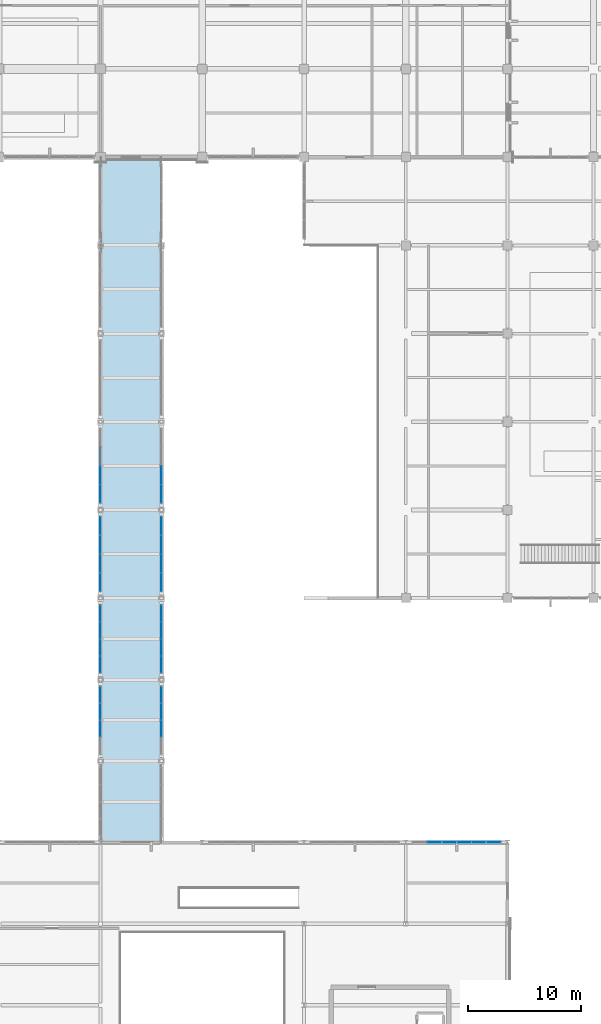
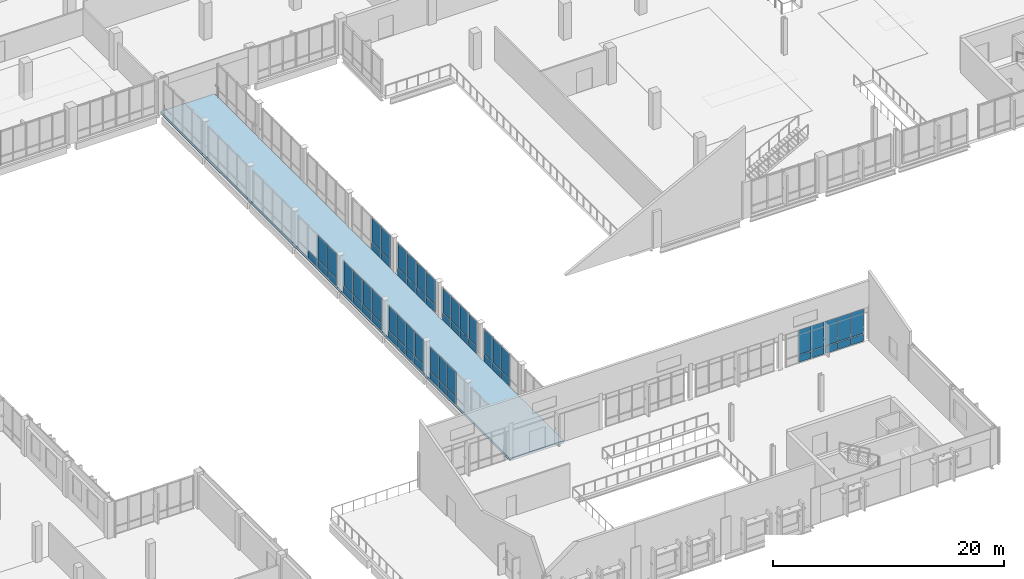
# One storey, part 45 of 85: 63 plates, 1 slab, 10 elements without a shape of their own.
"""IFC4 building model written with IfcOpenShell, lengths in metres."""

from ifc_helpers import new_model, si_unit, direction, frame, origin, origin_2d, place, context, subcontext, project, spatial, polyline, rectangle, outline, extrude, material, layer, layer_set, type_object, element, aggregate, save


model = new_model("IFC4")

# Units and contexts
model_context = context("Model", 3, precision=1e-05, world=origin(), true_north=direction((0.0, 1.0)))
body_context = subcontext(model_context, "Body", "Model", "MODEL_VIEW")
ifc_project = project(units=[si_unit("LENGTHUNIT", "METRE"), si_unit("AREAUNIT", "SQUARE_METRE"), si_unit("VOLUMEUNIT", "CUBIC_METRE"), si_unit("PLANEANGLEUNIT", "RADIAN"), si_unit("MASSUNIT", "GRAM", prefix="KILO")], contexts=[model_context])

# Site, building, storey
site_placement = place(None, origin())
site = spatial("IfcSite", under=ifc_project, at=site_placement, CompositionType="ELEMENT")
building_placement = place(site_placement, origin())
building = spatial("IfcBuilding", under=site, at=building_placement, Name="Vervanel Yard Central Library", CompositionType="ELEMENT")
storey_placement = place(building_placement, frame((0.0, 0.0, 5.10009765625)))
storey = spatial("IfcBuildingStorey", under=building, at=storey_placement, Name="L01", CompositionType="ELEMENT", Elevation=5.10009765625)

# Curtain wall, plates
ifc_material_1 = material(Name="Thermally broken anodized aluminium 6063-T6", Category="aluminium")
curtain_wall_type_1 = type_object("IfcCurtainWallType", Name="Boulevard Cafe & Bridge Curtain Wall", PredefinedType="NOTDEFINED", material=ifc_material_1)
curtain_wall_1_placement = place(storey_placement, origin())
curtain_wall_1 = element("IfcCurtainWall", 1, at=curtain_wall_1_placement, inside=storey, type_object=curtain_wall_type_1, Name="L01 Boulevard Cafe & Bridge Curtain Wall CWR-L01-177", PredefinedType="NOTDEFINED")
ifc_material_2 = material(Name="Insulated bronze aluminium spandrel panel", Category="aluminium")
ifc_layer_1 = layer(ifc_material_2, 0.070068359375, Category="aluminium")
ifc_layer_set_1 = layer_set([ifc_layer_1], Name="Insulated bronze aluminium spandrel panel")
plate_type_1 = type_object("IfcPlateType", Name="Bridge Fascia Spandrel Panel 70", PredefinedType="CURTAIN_PANEL", material=ifc_layer_set_1)
plate_1_placement = place(storey_placement, frame((72.0, 31.6474609375, 0.06005859375), z_axis=(0.0, 0.0, 1.0), x_axis=(0.0, 1.0, 0.0)))
plate_1 = element("IfcPlate", 2, at=plate_1_placement, type_object=plate_type_1, Name="CWR-L01-177 Panel B2-1", PredefinedType="CURTAIN_PANEL", context=body_context, shape_type="SweptSolid", body=[
    extrude(rectangle(XDim=1.445068359375, YDim=0.070068359375, at=origin_2d()), origin(), (0.0, 0.0, 1.0), 0.760009765625),
])
plate_2_placement = place(storey_placement, frame((72.0, 33.152587890625, 0.06005859375), z_axis=(0.0, 0.0, 1.0), x_axis=(0.0, 1.0, 0.0)))
plate_2 = element("IfcPlate", 3, at=plate_2_placement, type_object=plate_type_1, Name="CWR-L01-177 Panel B3-1", PredefinedType="CURTAIN_PANEL", context=body_context, shape_type="SweptSolid", body=[
    extrude(rectangle(XDim=1.445068359375, YDim=0.070068359375, at=origin_2d()), origin(), (0.0, 0.0, 1.0), 0.760009765625),
])
plate_3_placement = place(storey_placement, frame((72.0, 34.657470703125, 0.06005859375), z_axis=(0.0, 0.0, 1.0), x_axis=(0.0, 1.0, 0.0)))
plate_3 = element("IfcPlate", 4, at=plate_3_placement, type_object=plate_type_1, Name="CWR-L01-177 Panel B4-1", PredefinedType="CURTAIN_PANEL", context=body_context, shape_type="SweptSolid", body=[
    extrude(rectangle(XDim=1.445068359375, YDim=0.070068359375, at=origin_2d()), origin(), (0.0, 0.0, 1.0), 0.760009765625),
])

curtain_wall_2_placement = place(storey_placement, origin())
curtain_wall_2 = element("IfcCurtainWall", 5, at=curtain_wall_2_placement, inside=storey, type_object=curtain_wall_type_1, Name="L01 Boulevard Cafe & Bridge Curtain Wall CWR-L01-178", PredefinedType="NOTDEFINED")
plate_4_placement = place(storey_placement, frame((72.0, 37.342529296875, 0.06005859375), z_axis=(0.0, 0.0, 1.0), x_axis=(0.0, 1.0, 0.0)))
plate_4 = element("IfcPlate", 6, at=plate_4_placement, type_object=plate_type_1, Name="CWR-L01-178 Panel B1-1", PredefinedType="CURTAIN_PANEL", context=body_context, shape_type="SweptSolid", body=[
    extrude(rectangle(XDim=1.445068359375, YDim=0.070068359375, at=origin_2d()), origin(), (0.0, 0.0, 1.0), 0.760009765625),
])
plate_5_placement = place(storey_placement, frame((72.0, 38.847412109375, 0.06005859375), z_axis=(0.0, 0.0, 1.0), x_axis=(0.0, 1.0, 0.0)))
plate_5 = element("IfcPlate", 7, at=plate_5_placement, type_object=plate_type_1, Name="CWR-L01-178 Panel B2-1", PredefinedType="CURTAIN_PANEL", context=body_context, shape_type="SweptSolid", body=[
    extrude(rectangle(XDim=1.445068359375, YDim=0.070068359375, at=origin_2d()), origin(), (0.0, 0.0, 1.0), 0.760009765625),
])
plate_6_placement = place(storey_placement, frame((72.0, 40.3525390625, 0.06005859375), z_axis=(0.0, 0.0, 1.0), x_axis=(0.0, 1.0, 0.0)))
plate_6 = element("IfcPlate", 8, at=plate_6_placement, type_object=plate_type_1, Name="CWR-L01-178 Panel B3-1", PredefinedType="CURTAIN_PANEL", context=body_context, shape_type="SweptSolid", body=[
    extrude(rectangle(XDim=1.445068359375, YDim=0.070068359375, at=origin_2d()), origin(), (0.0, 0.0, 1.0), 0.760009765625),
])
plate_7_placement = place(storey_placement, frame((72.0, 41.857421875, 0.06005859375), z_axis=(0.0, 0.0, 1.0), x_axis=(0.0, 1.0, 0.0)))
plate_7 = element("IfcPlate", 9, at=plate_7_placement, type_object=plate_type_1, Name="CWR-L01-178 Panel B4-1", PredefinedType="CURTAIN_PANEL", context=body_context, shape_type="SweptSolid", body=[
    extrude(rectangle(XDim=1.445068359375, YDim=0.070068359375, at=origin_2d()), origin(), (0.0, 0.0, 1.0), 0.760009765625),
])

curtain_wall_3_placement = place(storey_placement, origin())
curtain_wall_3 = element("IfcCurtainWall", 10, at=curtain_wall_3_placement, inside=storey, type_object=curtain_wall_type_1, Name="L01 Boulevard Cafe & Bridge Curtain Wall CWR-L01-179", PredefinedType="NOTDEFINED")
plate_8_placement = place(storey_placement, frame((72.0, 44.617431640625, 0.06005859375), z_axis=(0.0, 0.0, 1.0), x_axis=(0.0, 1.0, 0.0)))
plate_8 = element("IfcPlate", 11, at=plate_8_placement, type_object=plate_type_1, Name="CWR-L01-179 Panel B1-1", PredefinedType="CURTAIN_PANEL", context=body_context, shape_type="SweptSolid", body=[
    extrude(rectangle(XDim=1.594970703125, YDim=0.070068359375, at=origin_2d()), origin(), (0.0, 0.0, 1.0), 0.760009765625),
])
plate_9_placement = place(storey_placement, frame((72.0, 46.2724609375, 0.06005859375), z_axis=(0.0, 0.0, 1.0), x_axis=(0.0, 1.0, 0.0)))
plate_9 = element("IfcPlate", 12, at=plate_9_placement, type_object=plate_type_1, Name="CWR-L01-179 Panel B2-1", PredefinedType="CURTAIN_PANEL", context=body_context, shape_type="SweptSolid", body=[
    extrude(rectangle(XDim=1.594970703125, YDim=0.070068359375, at=origin_2d()), origin(), (0.0, 0.0, 1.0), 0.760009765625),
])
plate_10_placement = place(storey_placement, frame((72.0, 47.927490234375, 0.06005859375), z_axis=(0.0, 0.0, 1.0), x_axis=(0.0, 1.0, 0.0)))
plate_10 = element("IfcPlate", 13, at=plate_10_placement, type_object=plate_type_1, Name="CWR-L01-179 Panel B3-1", PredefinedType="CURTAIN_PANEL", context=body_context, shape_type="SweptSolid", body=[
    extrude(rectangle(XDim=1.594970703125, YDim=0.070068359375, at=origin_2d()), origin(), (0.0, 0.0, 1.0), 0.760009765625),
])
plate_11_placement = place(storey_placement, frame((72.0, 49.58251953125, 0.06005859375), z_axis=(0.0, 0.0, 1.0), x_axis=(0.0, 1.0, 0.0)))
plate_11 = element("IfcPlate", 14, at=plate_11_placement, type_object=plate_type_1, Name="CWR-L01-179 Panel B4-1", PredefinedType="CURTAIN_PANEL", context=body_context, shape_type="SweptSolid", body=[
    extrude(rectangle(XDim=1.594970703125, YDim=0.070068359375, at=origin_2d()), origin(), (0.0, 0.0, 1.0), 0.760009765625),
])

curtain_wall_4_placement = place(storey_placement, origin())
curtain_wall_4 = element("IfcCurtainWall", 15, at=curtain_wall_4_placement, inside=storey, type_object=curtain_wall_type_1, Name="L01 Boulevard Cafe & Bridge Curtain Wall CWR-L01-180", PredefinedType="NOTDEFINED")
plate_12_placement = place(storey_placement, frame((72.0, 52.41748046875, 0.06005859375), z_axis=(0.0, 0.0, 1.0), x_axis=(0.0, 1.0, 0.0)))
plate_12 = element("IfcPlate", 16, at=plate_12_placement, type_object=plate_type_1, Name="CWR-L01-180 Panel B1-1", PredefinedType="CURTAIN_PANEL", context=body_context, shape_type="SweptSolid", body=[
    extrude(rectangle(XDim=1.594970703125, YDim=0.070068359375, at=origin_2d()), origin(), (0.0, 0.0, 1.0), 0.760009765625),
])
plate_13_placement = place(storey_placement, frame((72.0, 54.072509765625, 0.06005859375), z_axis=(0.0, 0.0, 1.0), x_axis=(0.0, 1.0, 0.0)))
plate_13 = element("IfcPlate", 17, at=plate_13_placement, type_object=plate_type_1, Name="CWR-L01-180 Panel B2-1", PredefinedType="CURTAIN_PANEL", context=body_context, shape_type="SweptSolid", body=[
    extrude(rectangle(XDim=1.594970703125, YDim=0.070068359375, at=origin_2d()), origin(), (0.0, 0.0, 1.0), 0.760009765625),
])
plate_14_placement = place(storey_placement, frame((72.0, 55.7275390625, 0.06005859375), z_axis=(0.0, 0.0, 1.0), x_axis=(0.0, 1.0, 0.0)))
plate_14 = element("IfcPlate", 18, at=plate_14_placement, type_object=plate_type_1, Name="CWR-L01-180 Panel B3-1", PredefinedType="CURTAIN_PANEL", context=body_context, shape_type="SweptSolid", body=[
    extrude(rectangle(XDim=1.594970703125, YDim=0.070068359375, at=origin_2d()), origin(), (0.0, 0.0, 1.0), 0.760009765625),
])

curtain_wall_5_placement = place(storey_placement, origin())
curtain_wall_5 = element("IfcCurtainWall", 19, at=curtain_wall_5_placement, inside=storey, type_object=curtain_wall_type_1, Name="L01 Boulevard Cafe & Bridge Curtain Wall CWR-L01-185", PredefinedType="NOTDEFINED")
plate_15_placement = place(storey_placement, frame((77.39990234375, 31.6474609375, 0.06005859375), z_axis=(0.0, 0.0, 1.0), x_axis=(0.0, 1.0, 0.0)))
plate_15 = element("IfcPlate", 20, at=plate_15_placement, type_object=plate_type_1, Name="CWR-L01-185 Panel B2-1", PredefinedType="CURTAIN_PANEL", context=body_context, shape_type="SweptSolid", body=[
    extrude(rectangle(XDim=1.445068359375, YDim=0.070068359375, at=origin_2d()), origin(), (0.0, 0.0, 1.0), 0.760009765625),
])
plate_16_placement = place(storey_placement, frame((77.39990234375, 33.152587890625, 0.06005859375), z_axis=(0.0, 0.0, 1.0), x_axis=(0.0, 1.0, 0.0)))
plate_16 = element("IfcPlate", 21, at=plate_16_placement, type_object=plate_type_1, Name="CWR-L01-185 Panel B3-1", PredefinedType="CURTAIN_PANEL", context=body_context, shape_type="SweptSolid", body=[
    extrude(rectangle(XDim=1.445068359375, YDim=0.070068359375, at=origin_2d()), origin(), (0.0, 0.0, 1.0), 0.760009765625),
])
plate_17_placement = place(storey_placement, frame((77.39990234375, 34.657470703125, 0.06005859375), z_axis=(0.0, 0.0, 1.0), x_axis=(0.0, 1.0, 0.0)))
plate_17 = element("IfcPlate", 22, at=plate_17_placement, type_object=plate_type_1, Name="CWR-L01-185 Panel B4-1", PredefinedType="CURTAIN_PANEL", context=body_context, shape_type="SweptSolid", body=[
    extrude(rectangle(XDim=1.445068359375, YDim=0.070068359375, at=origin_2d()), origin(), (0.0, 0.0, 1.0), 0.760009765625),
])

curtain_wall_6_placement = place(storey_placement, origin())
curtain_wall_6 = element("IfcCurtainWall", 23, at=curtain_wall_6_placement, inside=storey, type_object=curtain_wall_type_1, Name="L01 Boulevard Cafe & Bridge Curtain Wall CWR-L01-186", PredefinedType="NOTDEFINED")
plate_18_placement = place(storey_placement, frame((77.39990234375, 37.342529296875, 0.06005859375), z_axis=(0.0, 0.0, 1.0), x_axis=(0.0, 1.0, 0.0)))
plate_18 = element("IfcPlate", 24, at=plate_18_placement, type_object=plate_type_1, Name="CWR-L01-186 Panel B1-1", PredefinedType="CURTAIN_PANEL", context=body_context, shape_type="SweptSolid", body=[
    extrude(rectangle(XDim=1.445068359375, YDim=0.070068359375, at=origin_2d()), origin(), (0.0, 0.0, 1.0), 0.760009765625),
])
plate_19_placement = place(storey_placement, frame((77.39990234375, 38.847412109375, 0.06005859375), z_axis=(0.0, 0.0, 1.0), x_axis=(0.0, 1.0, 0.0)))
plate_19 = element("IfcPlate", 25, at=plate_19_placement, type_object=plate_type_1, Name="CWR-L01-186 Panel B2-1", PredefinedType="CURTAIN_PANEL", context=body_context, shape_type="SweptSolid", body=[
    extrude(rectangle(XDim=1.445068359375, YDim=0.070068359375, at=origin_2d()), origin(), (0.0, 0.0, 1.0), 0.760009765625),
])
plate_20_placement = place(storey_placement, frame((77.39990234375, 40.3525390625, 0.06005859375), z_axis=(0.0, 0.0, 1.0), x_axis=(0.0, 1.0, 0.0)))
plate_20 = element("IfcPlate", 26, at=plate_20_placement, type_object=plate_type_1, Name="CWR-L01-186 Panel B3-1", PredefinedType="CURTAIN_PANEL", context=body_context, shape_type="SweptSolid", body=[
    extrude(rectangle(XDim=1.445068359375, YDim=0.070068359375, at=origin_2d()), origin(), (0.0, 0.0, 1.0), 0.760009765625),
])
plate_21_placement = place(storey_placement, frame((77.39990234375, 41.857421875, 0.06005859375), z_axis=(0.0, 0.0, 1.0), x_axis=(0.0, 1.0, 0.0)))
plate_21 = element("IfcPlate", 27, at=plate_21_placement, type_object=plate_type_1, Name="CWR-L01-186 Panel B4-1", PredefinedType="CURTAIN_PANEL", context=body_context, shape_type="SweptSolid", body=[
    extrude(rectangle(XDim=1.445068359375, YDim=0.070068359375, at=origin_2d()), origin(), (0.0, 0.0, 1.0), 0.760009765625),
])

curtain_wall_7_placement = place(storey_placement, origin())
curtain_wall_7 = element("IfcCurtainWall", 28, at=curtain_wall_7_placement, inside=storey, type_object=curtain_wall_type_1, Name="L01 Boulevard Cafe & Bridge Curtain Wall CWR-L01-187", PredefinedType="NOTDEFINED")
plate_22_placement = place(storey_placement, frame((77.39990234375, 44.617431640625, 0.06005859375), z_axis=(0.0, 0.0, 1.0), x_axis=(0.0, 1.0, 0.0)))
plate_22 = element("IfcPlate", 29, at=plate_22_placement, type_object=plate_type_1, Name="CWR-L01-187 Panel B1-1", PredefinedType="CURTAIN_PANEL", context=body_context, shape_type="SweptSolid", body=[
    extrude(rectangle(XDim=1.594970703125, YDim=0.070068359375, at=origin_2d()), origin(), (0.0, 0.0, 1.0), 0.760009765625),
])
plate_23_placement = place(storey_placement, frame((77.39990234375, 46.2724609375, 0.06005859375), z_axis=(0.0, 0.0, 1.0), x_axis=(0.0, 1.0, 0.0)))
plate_23 = element("IfcPlate", 30, at=plate_23_placement, type_object=plate_type_1, Name="CWR-L01-187 Panel B2-1", PredefinedType="CURTAIN_PANEL", context=body_context, shape_type="SweptSolid", body=[
    extrude(rectangle(XDim=1.594970703125, YDim=0.070068359375, at=origin_2d()), origin(), (0.0, 0.0, 1.0), 0.760009765625),
])
plate_24_placement = place(storey_placement, frame((77.39990234375, 47.927490234375, 0.06005859375), z_axis=(0.0, 0.0, 1.0), x_axis=(0.0, 1.0, 0.0)))
plate_24 = element("IfcPlate", 31, at=plate_24_placement, type_object=plate_type_1, Name="CWR-L01-187 Panel B3-1", PredefinedType="CURTAIN_PANEL", context=body_context, shape_type="SweptSolid", body=[
    extrude(rectangle(XDim=1.594970703125, YDim=0.070068359375, at=origin_2d()), origin(), (0.0, 0.0, 1.0), 0.760009765625),
])
plate_25_placement = place(storey_placement, frame((77.39990234375, 49.58251953125, 0.06005859375), z_axis=(0.0, 0.0, 1.0), x_axis=(0.0, 1.0, 0.0)))
plate_25 = element("IfcPlate", 32, at=plate_25_placement, type_object=plate_type_1, Name="CWR-L01-187 Panel B4-1", PredefinedType="CURTAIN_PANEL", context=body_context, shape_type="SweptSolid", body=[
    extrude(rectangle(XDim=1.594970703125, YDim=0.070068359375, at=origin_2d()), origin(), (0.0, 0.0, 1.0), 0.760009765625),
])

curtain_wall_8_placement = place(storey_placement, origin())
curtain_wall_8 = element("IfcCurtainWall", 33, at=curtain_wall_8_placement, inside=storey, type_object=curtain_wall_type_1, Name="L01 Boulevard Cafe & Bridge Curtain Wall CWR-L01-188", PredefinedType="NOTDEFINED")
plate_26_placement = place(storey_placement, frame((77.39990234375, 52.41748046875, 0.06005859375), z_axis=(0.0, 0.0, 1.0), x_axis=(0.0, 1.0, 0.0)))
plate_26 = element("IfcPlate", 34, at=plate_26_placement, type_object=plate_type_1, Name="CWR-L01-188 Panel B1-1", PredefinedType="CURTAIN_PANEL", context=body_context, shape_type="SweptSolid", body=[
    extrude(rectangle(XDim=1.594970703125, YDim=0.070068359375, at=origin_2d()), origin(), (0.0, 0.0, 1.0), 0.760009765625),
])
plate_27_placement = place(storey_placement, frame((77.39990234375, 54.072509765625, 0.06005859375), z_axis=(0.0, 0.0, 1.0), x_axis=(0.0, 1.0, 0.0)))
plate_27 = element("IfcPlate", 35, at=plate_27_placement, type_object=plate_type_1, Name="CWR-L01-188 Panel B2-1", PredefinedType="CURTAIN_PANEL", context=body_context, shape_type="SweptSolid", body=[
    extrude(rectangle(XDim=1.594970703125, YDim=0.070068359375, at=origin_2d()), origin(), (0.0, 0.0, 1.0), 0.760009765625),
])

# Plate
ifc_material_3 = material(Name="Double low-E laminated solar-control glass", Category="glass")
ifc_layer_2 = layer(ifc_material_3, 0.028076171875, Category="glass")
ifc_layer_set_2 = layer_set([ifc_layer_2], Name="Double low-E laminated solar-control glass")
plate_type_2 = type_object("IfcPlateType", Name="Bridge UV-Filtered Vision Panel 28", PredefinedType="CURTAIN_PANEL", material=ifc_layer_set_2)
plate_28_placement = place(storey_placement, frame((72.0, 31.6474609375, 0.8798828125), z_axis=(0.0, 0.0, 1.0), x_axis=(0.0, 1.0, 0.0)))
plate_28 = element("IfcPlate", 36, at=plate_28_placement, type_object=plate_type_2, Name="CWR-L01-177 Panel B2-2", PredefinedType="CURTAIN_PANEL", context=body_context, shape_type="SweptSolid", body=[
    extrude(rectangle(XDim=1.445068359375, YDim=0.028076171875, at=origin_2d()), origin(), (0.0, 0.0, 1.0), 2.590087890625),
])

plate_29_placement = place(storey_placement, frame((72.0, 33.152587890625, 0.8798828125), z_axis=(0.0, 0.0, 1.0), x_axis=(0.0, 1.0, 0.0)))
plate_29 = element("IfcPlate", 37, at=plate_29_placement, type_object=plate_type_2, Name="CWR-L01-177 Panel B3-2", PredefinedType="CURTAIN_PANEL", context=body_context, shape_type="SweptSolid", body=[
    extrude(rectangle(XDim=1.445068359375, YDim=0.028076171875, at=origin_2d()), origin(), (0.0, 0.0, 1.0), 2.590087890625),
])

plate_30_placement = place(storey_placement, frame((72.0, 34.657470703125, 0.8798828125), z_axis=(0.0, 0.0, 1.0), x_axis=(0.0, 1.0, 0.0)))
plate_30 = element("IfcPlate", 38, at=plate_30_placement, type_object=plate_type_2, Name="CWR-L01-177 Panel B4-2", PredefinedType="CURTAIN_PANEL", context=body_context, shape_type="SweptSolid", body=[
    extrude(rectangle(XDim=1.445068359375, YDim=0.028076171875, at=origin_2d()), origin(), (0.0, 0.0, 1.0), 2.590087890625),
])

aggregate(curtain_wall_1, [plate_1, plate_28, plate_2, plate_29, plate_3, plate_30])

plate_31_placement = place(storey_placement, frame((72.0, 37.342529296875, 0.8798828125), z_axis=(0.0, 0.0, 1.0), x_axis=(0.0, 1.0, 0.0)))
plate_31 = element("IfcPlate", 39, at=plate_31_placement, type_object=plate_type_2, Name="CWR-L01-178 Panel B1-2", PredefinedType="CURTAIN_PANEL", context=body_context, shape_type="SweptSolid", body=[
    extrude(rectangle(XDim=1.445068359375, YDim=0.028076171875, at=origin_2d()), origin(), (0.0, 0.0, 1.0), 2.590087890625),
])

plate_32_placement = place(storey_placement, frame((72.0, 38.847412109375, 0.8798828125), z_axis=(0.0, 0.0, 1.0), x_axis=(0.0, 1.0, 0.0)))
plate_32 = element("IfcPlate", 40, at=plate_32_placement, type_object=plate_type_2, Name="CWR-L01-178 Panel B2-2", PredefinedType="CURTAIN_PANEL", context=body_context, shape_type="SweptSolid", body=[
    extrude(rectangle(XDim=1.445068359375, YDim=0.028076171875, at=origin_2d()), origin(), (0.0, 0.0, 1.0), 2.590087890625),
])

plate_33_placement = place(storey_placement, frame((72.0, 40.3525390625, 0.8798828125), z_axis=(0.0, 0.0, 1.0), x_axis=(0.0, 1.0, 0.0)))
plate_33 = element("IfcPlate", 41, at=plate_33_placement, type_object=plate_type_2, Name="CWR-L01-178 Panel B3-2", PredefinedType="CURTAIN_PANEL", context=body_context, shape_type="SweptSolid", body=[
    extrude(rectangle(XDim=1.445068359375, YDim=0.028076171875, at=origin_2d()), origin(), (0.0, 0.0, 1.0), 2.590087890625),
])

plate_34_placement = place(storey_placement, frame((72.0, 41.857421875, 0.8798828125), z_axis=(0.0, 0.0, 1.0), x_axis=(0.0, 1.0, 0.0)))
plate_34 = element("IfcPlate", 42, at=plate_34_placement, type_object=plate_type_2, Name="CWR-L01-178 Panel B4-2", PredefinedType="CURTAIN_PANEL", context=body_context, shape_type="SweptSolid", body=[
    extrude(rectangle(XDim=1.445068359375, YDim=0.028076171875, at=origin_2d()), origin(), (0.0, 0.0, 1.0), 2.590087890625),
])

aggregate(curtain_wall_2, [plate_4, plate_31, plate_5, plate_32, plate_6, plate_33, plate_7, plate_34])

plate_35_placement = place(storey_placement, frame((72.0, 44.617431640625, 0.8798828125), z_axis=(0.0, 0.0, 1.0), x_axis=(0.0, 1.0, 0.0)))
plate_35 = element("IfcPlate", 43, at=plate_35_placement, type_object=plate_type_2, Name="CWR-L01-179 Panel B1-2", PredefinedType="CURTAIN_PANEL", context=body_context, shape_type="SweptSolid", body=[
    extrude(rectangle(XDim=1.594970703125, YDim=0.028076171875, at=origin_2d()), origin(), (0.0, 0.0, 1.0), 2.590087890625),
])

plate_36_placement = place(storey_placement, frame((72.0, 46.2724609375, 0.8798828125), z_axis=(0.0, 0.0, 1.0), x_axis=(0.0, 1.0, 0.0)))
plate_36 = element("IfcPlate", 44, at=plate_36_placement, type_object=plate_type_2, Name="CWR-L01-179 Panel B2-2", PredefinedType="CURTAIN_PANEL", context=body_context, shape_type="SweptSolid", body=[
    extrude(rectangle(XDim=1.594970703125, YDim=0.028076171875, at=origin_2d()), origin(), (0.0, 0.0, 1.0), 2.590087890625),
])

plate_37_placement = place(storey_placement, frame((72.0, 47.927490234375, 0.8798828125), z_axis=(0.0, 0.0, 1.0), x_axis=(0.0, 1.0, 0.0)))
plate_37 = element("IfcPlate", 45, at=plate_37_placement, type_object=plate_type_2, Name="CWR-L01-179 Panel B3-2", PredefinedType="CURTAIN_PANEL", context=body_context, shape_type="SweptSolid", body=[
    extrude(rectangle(XDim=1.594970703125, YDim=0.028076171875, at=origin_2d()), origin(), (0.0, 0.0, 1.0), 2.590087890625),
])

plate_38_placement = place(storey_placement, frame((72.0, 49.58251953125, 0.8798828125), z_axis=(0.0, 0.0, 1.0), x_axis=(0.0, 1.0, 0.0)))
plate_38 = element("IfcPlate", 46, at=plate_38_placement, type_object=plate_type_2, Name="CWR-L01-179 Panel B4-2", PredefinedType="CURTAIN_PANEL", context=body_context, shape_type="SweptSolid", body=[
    extrude(rectangle(XDim=1.594970703125, YDim=0.028076171875, at=origin_2d()), origin(), (0.0, 0.0, 1.0), 2.590087890625),
])

aggregate(curtain_wall_3, [plate_8, plate_35, plate_9, plate_36, plate_10, plate_37, plate_11, plate_38])

plate_39_placement = place(storey_placement, frame((72.0, 52.41748046875, 0.8798828125), z_axis=(0.0, 0.0, 1.0), x_axis=(0.0, 1.0, 0.0)))
plate_39 = element("IfcPlate", 47, at=plate_39_placement, type_object=plate_type_2, Name="CWR-L01-180 Panel B1-2", PredefinedType="CURTAIN_PANEL", context=body_context, shape_type="SweptSolid", body=[
    extrude(rectangle(XDim=1.594970703125, YDim=0.028076171875, at=origin_2d()), origin(), (0.0, 0.0, 1.0), 2.590087890625),
])

plate_40_placement = place(storey_placement, frame((72.0, 54.072509765625, 0.8798828125), z_axis=(0.0, 0.0, 1.0), x_axis=(0.0, 1.0, 0.0)))
plate_40 = element("IfcPlate", 48, at=plate_40_placement, type_object=plate_type_2, Name="CWR-L01-180 Panel B2-2", PredefinedType="CURTAIN_PANEL", context=body_context, shape_type="SweptSolid", body=[
    extrude(rectangle(XDim=1.594970703125, YDim=0.028076171875, at=origin_2d()), origin(), (0.0, 0.0, 1.0), 2.590087890625),
])

aggregate(curtain_wall_4, [plate_12, plate_39, plate_13, plate_40, plate_14])

plate_41_placement = place(storey_placement, frame((77.39990234375, 31.6474609375, 0.8798828125), z_axis=(0.0, 0.0, 1.0), x_axis=(0.0, 1.0, 0.0)))
plate_41 = element("IfcPlate", 49, at=plate_41_placement, type_object=plate_type_2, Name="CWR-L01-185 Panel B2-2", PredefinedType="CURTAIN_PANEL", context=body_context, shape_type="SweptSolid", body=[
    extrude(rectangle(XDim=1.445068359375, YDim=0.028076171875, at=origin_2d()), origin(), (0.0, 0.0, 1.0), 2.590087890625),
])

plate_42_placement = place(storey_placement, frame((77.39990234375, 33.152587890625, 0.8798828125), z_axis=(0.0, 0.0, 1.0), x_axis=(0.0, 1.0, 0.0)))
plate_42 = element("IfcPlate", 50, at=plate_42_placement, type_object=plate_type_2, Name="CWR-L01-185 Panel B3-2", PredefinedType="CURTAIN_PANEL", context=body_context, shape_type="SweptSolid", body=[
    extrude(rectangle(XDim=1.445068359375, YDim=0.028076171875, at=origin_2d()), origin(), (0.0, 0.0, 1.0), 2.590087890625),
])

plate_43_placement = place(storey_placement, frame((77.39990234375, 34.657470703125, 0.8798828125), z_axis=(0.0, 0.0, 1.0), x_axis=(0.0, 1.0, 0.0)))
plate_43 = element("IfcPlate", 51, at=plate_43_placement, type_object=plate_type_2, Name="CWR-L01-185 Panel B4-2", PredefinedType="CURTAIN_PANEL", context=body_context, shape_type="SweptSolid", body=[
    extrude(rectangle(XDim=1.445068359375, YDim=0.028076171875, at=origin_2d()), origin(), (0.0, 0.0, 1.0), 2.590087890625),
])

aggregate(curtain_wall_5, [plate_15, plate_41, plate_16, plate_42, plate_17, plate_43])

plate_44_placement = place(storey_placement, frame((77.39990234375, 37.342529296875, 0.8798828125), z_axis=(0.0, 0.0, 1.0), x_axis=(0.0, 1.0, 0.0)))
plate_44 = element("IfcPlate", 52, at=plate_44_placement, type_object=plate_type_2, Name="CWR-L01-186 Panel B1-2", PredefinedType="CURTAIN_PANEL", context=body_context, shape_type="SweptSolid", body=[
    extrude(rectangle(XDim=1.445068359375, YDim=0.028076171875, at=origin_2d()), origin(), (0.0, 0.0, 1.0), 2.590087890625),
])

plate_45_placement = place(storey_placement, frame((77.39990234375, 38.847412109375, 0.8798828125), z_axis=(0.0, 0.0, 1.0), x_axis=(0.0, 1.0, 0.0)))
plate_45 = element("IfcPlate", 53, at=plate_45_placement, type_object=plate_type_2, Name="CWR-L01-186 Panel B2-2", PredefinedType="CURTAIN_PANEL", context=body_context, shape_type="SweptSolid", body=[
    extrude(rectangle(XDim=1.445068359375, YDim=0.028076171875, at=origin_2d()), origin(), (0.0, 0.0, 1.0), 2.590087890625),
])

plate_46_placement = place(storey_placement, frame((77.39990234375, 40.3525390625, 0.8798828125), z_axis=(0.0, 0.0, 1.0), x_axis=(0.0, 1.0, 0.0)))
plate_46 = element("IfcPlate", 54, at=plate_46_placement, type_object=plate_type_2, Name="CWR-L01-186 Panel B3-2", PredefinedType="CURTAIN_PANEL", context=body_context, shape_type="SweptSolid", body=[
    extrude(rectangle(XDim=1.445068359375, YDim=0.028076171875, at=origin_2d()), origin(), (0.0, 0.0, 1.0), 2.590087890625),
])

plate_47_placement = place(storey_placement, frame((77.39990234375, 41.857421875, 0.8798828125), z_axis=(0.0, 0.0, 1.0), x_axis=(0.0, 1.0, 0.0)))
plate_47 = element("IfcPlate", 55, at=plate_47_placement, type_object=plate_type_2, Name="CWR-L01-186 Panel B4-2", PredefinedType="CURTAIN_PANEL", context=body_context, shape_type="SweptSolid", body=[
    extrude(rectangle(XDim=1.445068359375, YDim=0.028076171875, at=origin_2d()), origin(), (0.0, 0.0, 1.0), 2.590087890625),
])

aggregate(curtain_wall_6, [plate_18, plate_44, plate_19, plate_45, plate_20, plate_46, plate_21, plate_47])

plate_48_placement = place(storey_placement, frame((77.39990234375, 44.617431640625, 0.8798828125), z_axis=(0.0, 0.0, 1.0), x_axis=(0.0, 1.0, 0.0)))
plate_48 = element("IfcPlate", 56, at=plate_48_placement, type_object=plate_type_2, Name="CWR-L01-187 Panel B1-2", PredefinedType="CURTAIN_PANEL", context=body_context, shape_type="SweptSolid", body=[
    extrude(rectangle(XDim=1.594970703125, YDim=0.028076171875, at=origin_2d()), origin(), (0.0, 0.0, 1.0), 2.590087890625),
])

plate_49_placement = place(storey_placement, frame((77.39990234375, 46.2724609375, 0.8798828125), z_axis=(0.0, 0.0, 1.0), x_axis=(0.0, 1.0, 0.0)))
plate_49 = element("IfcPlate", 57, at=plate_49_placement, type_object=plate_type_2, Name="CWR-L01-187 Panel B2-2", PredefinedType="CURTAIN_PANEL", context=body_context, shape_type="SweptSolid", body=[
    extrude(rectangle(XDim=1.594970703125, YDim=0.028076171875, at=origin_2d()), origin(), (0.0, 0.0, 1.0), 2.590087890625),
])

plate_50_placement = place(storey_placement, frame((77.39990234375, 47.927490234375, 0.8798828125), z_axis=(0.0, 0.0, 1.0), x_axis=(0.0, 1.0, 0.0)))
plate_50 = element("IfcPlate", 58, at=plate_50_placement, type_object=plate_type_2, Name="CWR-L01-187 Panel B3-2", PredefinedType="CURTAIN_PANEL", context=body_context, shape_type="SweptSolid", body=[
    extrude(rectangle(XDim=1.594970703125, YDim=0.028076171875, at=origin_2d()), origin(), (0.0, 0.0, 1.0), 2.590087890625),
])

plate_51_placement = place(storey_placement, frame((77.39990234375, 49.58251953125, 0.8798828125), z_axis=(0.0, 0.0, 1.0), x_axis=(0.0, 1.0, 0.0)))
plate_51 = element("IfcPlate", 59, at=plate_51_placement, type_object=plate_type_2, Name="CWR-L01-187 Panel B4-2", PredefinedType="CURTAIN_PANEL", context=body_context, shape_type="SweptSolid", body=[
    extrude(rectangle(XDim=1.594970703125, YDim=0.028076171875, at=origin_2d()), origin(), (0.0, 0.0, 1.0), 2.590087890625),
])

aggregate(curtain_wall_7, [plate_22, plate_48, plate_23, plate_49, plate_24, plate_50, plate_25, plate_51])

plate_52_placement = place(storey_placement, frame((77.39990234375, 52.41748046875, 0.8798828125), z_axis=(0.0, 0.0, 1.0), x_axis=(0.0, 1.0, 0.0)))
plate_52 = element("IfcPlate", 60, at=plate_52_placement, type_object=plate_type_2, Name="CWR-L01-188 Panel B1-2", PredefinedType="CURTAIN_PANEL", context=body_context, shape_type="SweptSolid", body=[
    extrude(rectangle(XDim=1.594970703125, YDim=0.028076171875, at=origin_2d()), origin(), (0.0, 0.0, 1.0), 2.590087890625),
])

plate_53_placement = place(storey_placement, frame((77.39990234375, 54.072509765625, 0.8798828125), z_axis=(0.0, 0.0, 1.0), x_axis=(0.0, 1.0, 0.0)))
plate_53 = element("IfcPlate", 61, at=plate_53_placement, type_object=plate_type_2, Name="CWR-L01-188 Panel B2-2", PredefinedType="CURTAIN_PANEL", context=body_context, shape_type="SweptSolid", body=[
    extrude(rectangle(XDim=1.594970703125, YDim=0.028076171875, at=origin_2d()), origin(), (0.0, 0.0, 1.0), 2.590087890625),
])

aggregate(curtain_wall_8, [plate_26, plate_52, plate_27, plate_53])

# Curtain wall, plates
curtain_wall_type_2 = type_object("IfcCurtainWallType", Name="Children's Courtyard Curtain Wall", PredefinedType="NOTDEFINED", material=ifc_material_1)
curtain_wall_9_placement = place(storey_placement, origin())
curtain_wall_9 = element("IfcCurtainWall", 62, at=curtain_wall_9_placement, inside=storey, type_object=curtain_wall_type_2, Name="L01 Children's Courtyard Curtain Wall CWR-L01-174", PredefinedType="NOTDEFINED")
ifc_layer_3 = layer(ifc_material_3, 0.030029296875, Category="glass")
ifc_layer_set_3 = layer_set([ifc_layer_3], Name="Double low-E laminated solar-control glass")
plate_type_3 = type_object("IfcPlateType", Name="Courtyard Clear Low-E Panel 30", PredefinedType="CURTAIN_PANEL", material=ifc_layer_set_3)
plate_54_placement = place(storey_placement, frame((101.530029296875, 21.60009765625, 0.8798828125), z_axis=(0.0, 0.0, 1.0), x_axis=(1.0, 0.0, 0.0)))
plate_54 = element("IfcPlate", 63, at=plate_54_placement, type_object=plate_type_3, Name="CWR-L01-174 Panel B2-2", PredefinedType="CURTAIN_PANEL", context=body_context, shape_type="SweptSolid", body=[
    extrude(rectangle(XDim=1.2333984375, YDim=0.030029296875, at=origin_2d()), origin(), (0.0, 0.0, 1.0), 2.590087890625),
])
plate_55_placement = place(storey_placement, frame((102.8232421875, 21.60009765625, 0.8798828125), z_axis=(0.0, 0.0, 1.0), x_axis=(1.0, 0.0, 0.0)))
plate_55 = element("IfcPlate", 64, at=plate_55_placement, type_object=plate_type_3, Name="CWR-L01-174 Panel B3-2", PredefinedType="CURTAIN_PANEL", context=body_context, shape_type="SweptSolid", body=[
    extrude(rectangle(XDim=1.2333984375, YDim=0.030029296875, at=origin_2d()), origin(), (0.0, 0.0, 1.0), 2.590087890625),
])

curtain_wall_10_placement = place(storey_placement, origin())
curtain_wall_10 = element("IfcCurtainWall", 65, at=curtain_wall_10_placement, inside=storey, type_object=curtain_wall_type_2, Name="L01 Children's Courtyard Curtain Wall CWR-L01-175", PredefinedType="NOTDEFINED")
plate_56_placement = place(storey_placement, frame((104.1767578125, 21.60009765625, 0.8798828125), z_axis=(0.0, 0.0, 1.0), x_axis=(1.0, 0.0, 0.0)))
plate_56 = element("IfcPlate", 66, at=plate_56_placement, type_object=plate_type_3, Name="CWR-L01-175 Panel B1-2", PredefinedType="CURTAIN_PANEL", context=body_context, shape_type="SweptSolid", body=[
    extrude(rectangle(XDim=1.2333984375, YDim=0.030029296875, at=origin_2d()), origin(), (0.0, 0.0, 1.0), 2.590087890625),
])
plate_57_placement = place(storey_placement, frame((105.469970703125, 21.60009765625, 0.8798828125), z_axis=(0.0, 0.0, 1.0), x_axis=(1.0, 0.0, 0.0)))
plate_57 = element("IfcPlate", 67, at=plate_57_placement, type_object=plate_type_3, Name="CWR-L01-175 Panel B2-2", PredefinedType="CURTAIN_PANEL", context=body_context, shape_type="SweptSolid", body=[
    extrude(rectangle(XDim=1.2333984375, YDim=0.030029296875, at=origin_2d()), origin(), (0.0, 0.0, 1.0), 2.590087890625),
])
plate_58_placement = place(storey_placement, frame((106.763427734375, 21.60009765625, 0.8798828125), z_axis=(0.0, 0.0, 1.0), x_axis=(1.0, 0.0, 0.0)))
plate_58 = element("IfcPlate", 68, at=plate_58_placement, type_object=plate_type_3, Name="CWR-L01-175 Panel B3-2", PredefinedType="CURTAIN_PANEL", context=body_context, shape_type="SweptSolid", body=[
    extrude(rectangle(XDim=1.2333984375, YDim=0.030029296875, at=origin_2d()), origin(), (0.0, 0.0, 1.0), 2.590087890625),
])

# Slab
ifc_material_4 = material(Name="Concrete C45/55", Category="concrete")
ifc_layer_4 = layer(ifc_material_4, 0.27490234375, Category="concrete")
ifc_layer_set_4 = layer_set([ifc_layer_4], Name="Concrete C45/55")
slab_type = type_object("IfcSlabType", Name="Courtyard Reading Bridge Slab 275", PredefinedType="FLOOR", material=ifc_layer_set_4)
slab_placement = place(storey_placement, frame((0.0, 0.0, -0.275146484375)))
element("IfcSlab", 69, at=slab_placement, inside=storey, type_object=slab_type, Name="L01 V6 Courtyard Reading Bridge Slab 275", PredefinedType="FLOOR", context=body_context, shape_type="SweptSolid", body=[
    extrude(outline(polyline([(72.0, 21.60009765625), (77.39990234375, 21.60009765625), (77.39990234375, 82.199951171875), (72.0, 82.199951171875), (72.0, 21.60009765625)])), origin(), (0.0, 0.0, 1.0), 0.275146484375),
])

# Plate
ifc_layer_5 = layer(ifc_material_2, 0.080078125, Category="aluminium")
ifc_layer_set_5 = layer_set([ifc_layer_5], Name="Insulated bronze aluminium spandrel panel")
plate_type_4 = type_object("IfcPlateType", Name="Insulated Bronze Spandrel Panel 80", PredefinedType="CURTAIN_PANEL", material=ifc_layer_set_5)
plate_59_placement = place(storey_placement, frame((101.530029296875, 21.60009765625, 0.06005859375), z_axis=(0.0, 0.0, 1.0), x_axis=(1.0, 0.0, 0.0)))
plate_59 = element("IfcPlate", 70, at=plate_59_placement, type_object=plate_type_4, Name="CWR-L01-174 Panel B2-1", PredefinedType="CURTAIN_PANEL", context=body_context, shape_type="SweptSolid", body=[
    extrude(rectangle(XDim=1.2333984375, YDim=0.080078125, at=origin_2d()), origin(), (0.0, 0.0, 1.0), 0.760009765625),
])

plate_60_placement = place(storey_placement, frame((102.8232421875, 21.60009765625, 0.06005859375), z_axis=(0.0, 0.0, 1.0), x_axis=(1.0, 0.0, 0.0)))
plate_60 = element("IfcPlate", 71, at=plate_60_placement, type_object=plate_type_4, Name="CWR-L01-174 Panel B3-1", PredefinedType="CURTAIN_PANEL", context=body_context, shape_type="SweptSolid", body=[
    extrude(rectangle(XDim=1.2333984375, YDim=0.080078125, at=origin_2d()), origin(), (0.0, 0.0, 1.0), 0.760009765625),
])

aggregate(curtain_wall_9, [plate_59, plate_54, plate_60, plate_55])

plate_61_placement = place(storey_placement, frame((104.1767578125, 21.60009765625, 0.06005859375), z_axis=(0.0, 0.0, 1.0), x_axis=(1.0, 0.0, 0.0)))
plate_61 = element("IfcPlate", 72, at=plate_61_placement, type_object=plate_type_4, Name="CWR-L01-175 Panel B1-1", PredefinedType="CURTAIN_PANEL", context=body_context, shape_type="SweptSolid", body=[
    extrude(rectangle(XDim=1.2333984375, YDim=0.080078125, at=origin_2d()), origin(), (0.0, 0.0, 1.0), 0.760009765625),
])

plate_62_placement = place(storey_placement, frame((105.469970703125, 21.60009765625, 0.06005859375), z_axis=(0.0, 0.0, 1.0), x_axis=(1.0, 0.0, 0.0)))
plate_62 = element("IfcPlate", 73, at=plate_62_placement, type_object=plate_type_4, Name="CWR-L01-175 Panel B2-1", PredefinedType="CURTAIN_PANEL", context=body_context, shape_type="SweptSolid", body=[
    extrude(rectangle(XDim=1.2333984375, YDim=0.080078125, at=origin_2d()), origin(), (0.0, 0.0, 1.0), 0.760009765625),
])

plate_63_placement = place(storey_placement, frame((106.763427734375, 21.60009765625, 0.06005859375), z_axis=(0.0, 0.0, 1.0), x_axis=(1.0, 0.0, 0.0)))
plate_63 = element("IfcPlate", 74, at=plate_63_placement, type_object=plate_type_4, Name="CWR-L01-175 Panel B3-1", PredefinedType="CURTAIN_PANEL", context=body_context, shape_type="SweptSolid", body=[
    extrude(rectangle(XDim=1.2333984375, YDim=0.080078125, at=origin_2d()), origin(), (0.0, 0.0, 1.0), 0.760009765625),
])

aggregate(curtain_wall_10, [plate_61, plate_56, plate_62, plate_57, plate_63, plate_58])

save(model, "model.ifc")
